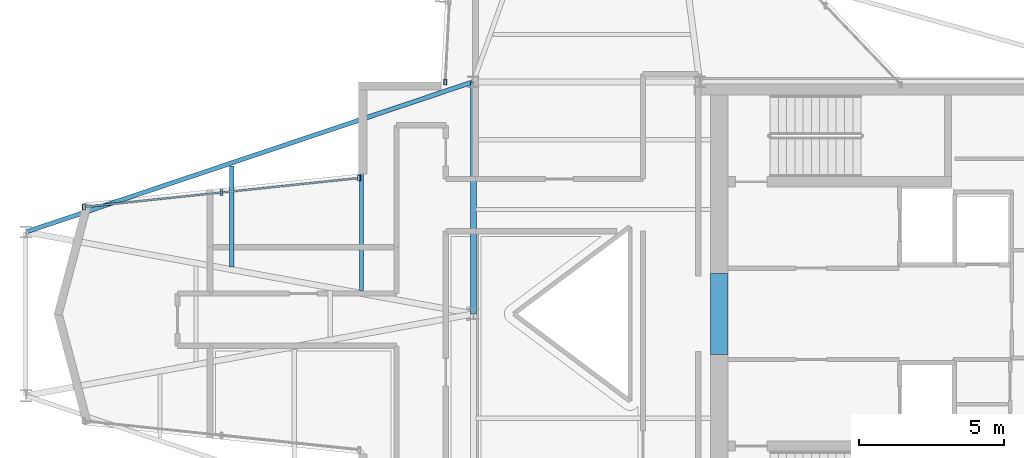
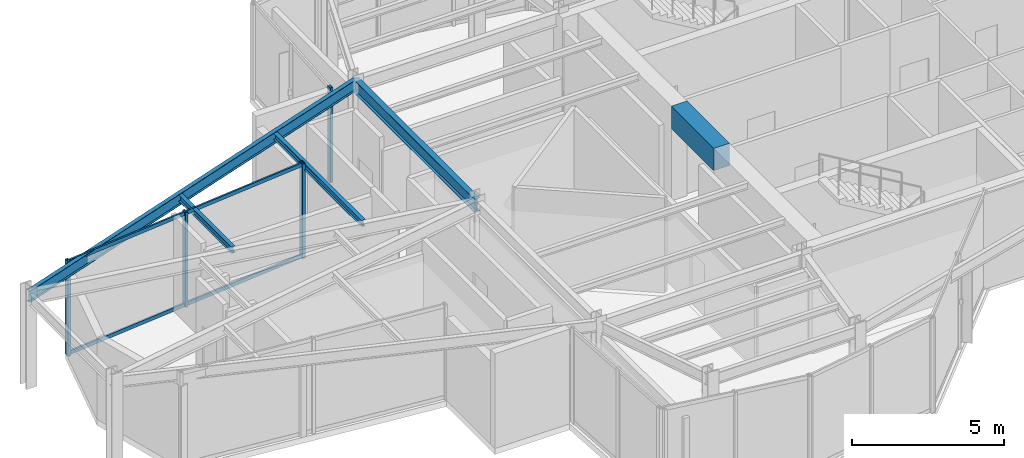
# One storey, part 4 of 14: 6 members, 5 beams, 2 elements without a shape of their own.
"""IFC4 building model written with IfcOpenShell, lengths in metres."""

from ifc_helpers import new_model, si_unit, direction, frame, origin, origin_2d, place, context, subcontext, project, spatial, rectangle, hollow_rectangle, i_section, extrude, material, layer, layer_set, material_profile, profile_set, type_object, element, aggregate, save


model = new_model("IFC4")

# Units and contexts
model_context = context("Model", 3, precision=1e-05, world=origin(), true_north=direction((0.0, 1.0)))
body_context = subcontext(model_context, "Body", "Model", "MODEL_VIEW")
ifc_project = project(units=[si_unit("LENGTHUNIT", "METRE"), si_unit("AREAUNIT", "SQUARE_METRE"), si_unit("VOLUMEUNIT", "CUBIC_METRE"), si_unit("PLANEANGLEUNIT", "RADIAN"), si_unit("MASSUNIT", "GRAM", prefix="KILO")], contexts=[model_context])

# Site, building, storey
site_placement = place(None, origin())
site = spatial("IfcSite", under=ifc_project, at=site_placement, CompositionType="ELEMENT")
building_placement = place(site_placement, origin())
building = spatial("IfcBuilding", under=site, at=building_placement, Name="Veymaron Broadcast Tower", CompositionType="ELEMENT")
storey_placement = place(building_placement, frame((0.0, 0.0, 295.199951171875)))
storey = spatial("IfcBuildingStorey", under=building, at=storey_placement, Name="L69", CompositionType="ELEMENT", Elevation=295.199951171875)

# Beams
ifc_material_1 = material(Name="Concrete C60/75", Category="concrete")
ifc_material_profile_1 = material_profile(ifc_material_1, rectangle(XDim=0.60009765625, YDim=0.89990234375, at=origin_2d()), Name="RC600X900")
ifc_profile_set_1 = profile_set([ifc_material_profile_1], Name="Concrete C60/75")
beam_type_1 = type_object("IfcBeamType", Name="BM-CB2", PredefinedType="LINTEL", material=ifc_profile_set_1)
beam_1_placement = place(storey_placement, frame((39.679931640625, 22.60009765625, 3.360107421875), z_axis=(0.0, 1.0, 0.0), x_axis=(-1.0, 0.0, 0.0)))
element("IfcBeam", 1, at=beam_1_placement, inside=storey, type_object=beam_type_1, Name="L69 Core Wall west coupling beam", PredefinedType="LINTEL", context=body_context, shape_type="SweptSolid", body=[
    extrude(rectangle(XDim=0.60009765625, YDim=0.89990234375, at=origin_2d()), origin(), (0.0, 0.0, 1.0), 2.7998046875),
])
ifc_material_2 = material(Name="Structural steel ASTM A992 Gr 50", Category="steel")
ifc_material_profile_2 = material_profile(ifc_material_2, i_section(OverallWidth=0.208984375, OverallDepth=0.528076171875, WebThickness=0.009521484375, FlangeThickness=0.01318359375, at=origin_2d()), Name="W530X82")
ifc_profile_set_2 = profile_set([ifc_material_profile_2], Name="Structural steel ASTM A992 Gr 50")
beam_type_2 = type_object("IfcBeamType", Name="BM-FG4", PredefinedType="BEAM", material=ifc_profile_set_2)
beam_2_placement = place(storey_placement, frame((31.199951171875, 24.0, 3.546142578125), z_axis=(0.0, 1.0, 0.0), x_axis=(-1.0, 0.0, 0.0)))
element("IfcBeam", 2, at=beam_2_placement, inside=storey, type_object=beam_type_2, Name="L69 primary structural floor girder", PredefinedType="BEAM", context=body_context, shape_type="SweptSolid", body=[
    extrude(i_section(OverallWidth=0.208984375, OverallDepth=0.528076171875, WebThickness=0.009521484375, FlangeThickness=0.01318359375, at=origin_2d()), origin(), (0.0, 0.0, 1.0), 8.0),
])
ifc_material_profile_3 = material_profile(ifc_material_2, i_section(OverallWidth=0.14599609375, OverallDepth=0.258056640625, WebThickness=0.006103515625, FlangeThickness=0.009033203125, at=origin_2d()), Name="W250X33")
ifc_profile_set_3 = profile_set([ifc_material_profile_3], Name="Structural steel ASTM A992 Gr 50")
beam_type_3 = type_object("IfcBeamType", Name="BM-JS4", PredefinedType="JOIST", material=ifc_profile_set_3)
beam_3_placement = place(storey_placement, frame((22.871337890625, 25.623779296875, 3.68115234375), z_axis=(0.0, 1.0, 0.0), x_axis=(-1.0, 0.0, 0.0)))
element("IfcBeam", 3, at=beam_3_placement, inside=storey, type_object=beam_type_3, Name="L69 Arm-A secondary joist 1N", PredefinedType="JOIST", context=body_context, shape_type="SweptSolid", body=[
    extrude(i_section(OverallWidth=0.14599609375, OverallDepth=0.258056640625, WebThickness=0.006103515625, FlangeThickness=0.009033203125, at=origin_2d()), origin(), (0.0, 0.0, 1.0), 3.480224609375),
])
beam_4_placement = place(storey_placement, frame((27.343994140625, 24.805419921875, 3.68115234375), z_axis=(0.0, 1.0, 0.0), x_axis=(-1.0, 0.0, 0.0)))
element("IfcBeam", 4, at=beam_4_placement, inside=storey, type_object=beam_type_3, Name="L69 Arm-A secondary joist 2N", PredefinedType="JOIST", context=body_context, shape_type="SweptSolid", body=[
    extrude(i_section(OverallWidth=0.14599609375, OverallDepth=0.258056640625, WebThickness=0.006103515625, FlangeThickness=0.009033203125, at=origin_2d()), origin(), (0.0, 0.0, 1.0), 5.800048828125),
])
ifc_material_profile_4 = material_profile(ifc_material_2, i_section(OverallWidth=0.154052734375, OverallDepth=0.458984375, WebThickness=0.009033203125, FlangeThickness=0.015380859375, at=origin_2d()), Name="W460X68")
ifc_profile_set_4 = profile_set([ifc_material_profile_4], Name="Structural steel ASTM A992 Gr 50")
beam_type_4 = type_object("IfcBeamType", Name="BM-SP2", PredefinedType="SPANDREL", material=ifc_profile_set_4)
beam_5_placement = place(storey_placement, frame((15.7763671875, 26.822021484375, 3.58056640625), z_axis=(0.948002845498, 0.318261849627, 0.0), x_axis=(-0.318261849627, 0.948002845498, 0.0)))
element("IfcBeam", 5, at=beam_5_placement, inside=storey, type_object=beam_type_4, Name="L69 primary structural floor girder", PredefinedType="SPANDREL", context=body_context, shape_type="SweptSolid", body=[
    extrude(i_section(OverallWidth=0.154052734375, OverallDepth=0.458984375, WebThickness=0.009033203125, FlangeThickness=0.015380859375, at=origin_2d()), origin(), (0.0, 0.0, 1.0), 16.26953125),
])

# Curtain wall, member
ifc_material_3 = material(Name="Anodised aluminium AA 6063-T6 and laminated low-E dark glass", Category="aluminium")
ifc_layer = layer(ifc_material_3, 0.179931640625)
ifc_layer_set = layer_set([ifc_layer], Name="Anodised aluminium AA 6063-T6 and laminated low-E dark glass")
curtain_wall_type = type_object("IfcCurtainWallType", Name="CW-SYS-06", PredefinedType="NOTDEFINED", material=ifc_layer_set)
curtain_wall_1_placement = place(storey_placement, origin())
curtain_wall_1 = element("IfcCurtainWall", 6, at=curtain_wall_1_placement, inside=storey, type_object=curtain_wall_type, Name="L69 dark-glass curtain wall CW-L69-E8-1", PredefinedType="NOTDEFINED")
ifc_material_4 = material(Name="Anodised aluminium AA 6063-T6", Category="aluminium")
ifc_material_profile_5 = material_profile(ifc_material_4, hollow_rectangle(XDim=0.10009765625, YDim=0.199951171875, WallThickness=0.010009765625, at=origin_2d()), Name="RHS200X100X10")
ifc_profile_set_5 = profile_set([ifc_material_profile_5], Name="Anodised aluminium AA 6063-T6")
member_type_1 = type_object("IfcMemberType", Name="CW-MUL-01", PredefinedType="MULLION", material=ifc_profile_set_5)
member_1_placement = place(storey_placement, frame((30.23046875, 31.992919921875, 0.0), z_axis=(0.0, 0.0, 1.0), x_axis=(1.0, 0.0, 0.0)))
member_1 = element("IfcMember", 7, at=member_1_placement, type_object=member_type_1, Name="CW-L69-E8-1 mullion 2", PredefinedType="MULLION", context=body_context, shape_type="SweptSolid", body=[
    extrude(hollow_rectangle(XDim=0.10009765625, YDim=0.199951171875, WallThickness=0.010009765625, at=origin_2d()), origin(), (0.0, 0.0, 1.0), 3.81005859375),
])
aggregate(curtain_wall_1, [member_1])

# Curtain wall, members
curtain_wall_2_placement = place(storey_placement, origin())
curtain_wall_2 = element("IfcCurtainWall", 8, at=curtain_wall_2_placement, inside=storey, type_object=curtain_wall_type, Name="L69 dark-glass curtain wall CW-L69-E11-1", PredefinedType="NOTDEFINED")
member_2_placement = place(storey_placement, frame((27.26416015625, 28.683837890625, 0.0), z_axis=(0.0, 0.0, 1.0), x_axis=(1.0, 0.0, 0.0)))
member_2 = element("IfcMember", 9, at=member_2_placement, type_object=member_type_1, Name="CW-L69-E11-1 mullion 0", PredefinedType="MULLION", context=body_context, shape_type="SweptSolid", body=[
    extrude(hollow_rectangle(XDim=0.10009765625, YDim=0.199951171875, WallThickness=0.010009765625, at=origin_2d()), origin(), (0.0, 0.0, 1.0), 3.81005859375),
])
member_3_placement = place(storey_placement, frame((22.519287109375, 28.18505859375, 0.0), z_axis=(0.0, 0.0, 1.0), x_axis=(1.0, 0.0, 0.0)))
member_3 = element("IfcMember", 10, at=member_3_placement, type_object=member_type_1, Name="CW-L69-E11-1 mullion 1", PredefinedType="MULLION", context=body_context, shape_type="SweptSolid", body=[
    extrude(hollow_rectangle(XDim=0.10009765625, YDim=0.199951171875, WallThickness=0.010009765625, at=origin_2d()), origin(), (0.0, 0.0, 1.0), 3.81005859375),
])
member_4_placement = place(storey_placement, frame((17.774658203125, 27.68603515625, 0.0), z_axis=(0.0, 0.0, 1.0), x_axis=(1.0, 0.0, 0.0)))
member_4 = element("IfcMember", 11, at=member_4_placement, type_object=member_type_1, Name="CW-L69-E11-1 mullion 2", PredefinedType="MULLION", context=body_context, shape_type="SweptSolid", body=[
    extrude(hollow_rectangle(XDim=0.10009765625, YDim=0.199951171875, WallThickness=0.010009765625, at=origin_2d()), origin(), (0.0, 0.0, 1.0), 3.81005859375),
])
ifc_material_profile_6 = material_profile(ifc_material_4, hollow_rectangle(XDim=0.06494140625, YDim=0.14990234375, WallThickness=0.00390625, at=origin_2d()), Name="AL150X65X4")
ifc_profile_set_6 = profile_set([ifc_material_profile_6], Name="Anodised aluminium AA 6063-T6")
member_type_2 = type_object("IfcMemberType", Name="CW-TRN-01", PredefinedType="USERDEFINED", material=ifc_profile_set_6)
member_5_placement = place(storey_placement, frame((27.214599609375, 28.6787109375, 0.070068359375), z_axis=(-0.99451819669, -0.104563647854, 0.0), x_axis=(0.104563647854, -0.99451819669, 0.0)))
member_5 = element("IfcMember", 12, at=member_5_placement, type_object=member_type_2, Name="CW-L69-E11-1 transom B", ObjectType="TRANSOM", PredefinedType="USERDEFINED", context=body_context, shape_type="SweptSolid", body=[
    extrude(hollow_rectangle(XDim=0.06494140625, YDim=0.14990234375, WallThickness=0.00390625, at=origin_2d()), origin(), (0.0, 0.0, 1.0), 9.442138671875),
])
member_6_placement = place(storey_placement, frame((27.214599609375, 28.6787109375, 3.739990234375), z_axis=(-0.99451819669, -0.104563647854, 0.0), x_axis=(0.104563647854, -0.99451819669, 0.0)))
member_6 = element("IfcMember", 13, at=member_6_placement, type_object=member_type_2, Name="CW-L69-E11-1 transom T", ObjectType="TRANSOM", PredefinedType="USERDEFINED", context=body_context, shape_type="SweptSolid", body=[
    extrude(hollow_rectangle(XDim=0.06494140625, YDim=0.14990234375, WallThickness=0.00390625, at=origin_2d()), origin(), (0.0, 0.0, 1.0), 9.442138671875),
])
aggregate(curtain_wall_2, [member_2, member_3, member_4, member_5, member_6])

save(model, "model.ifc")
